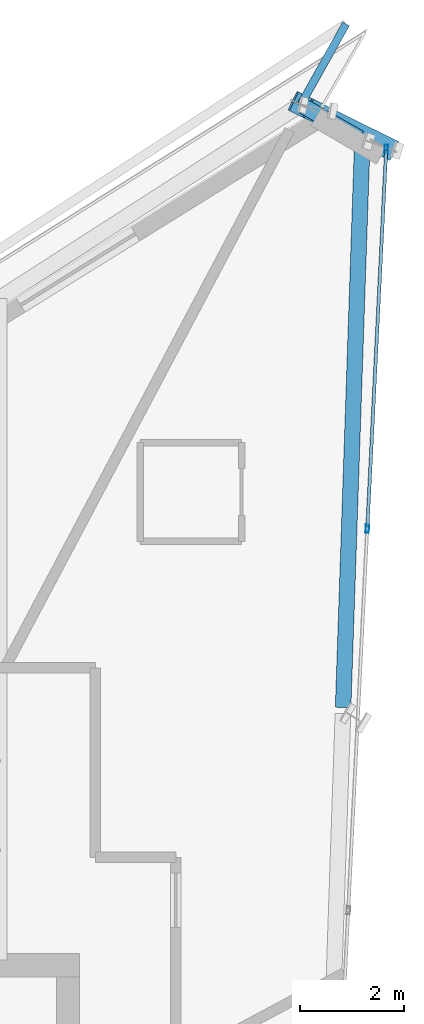
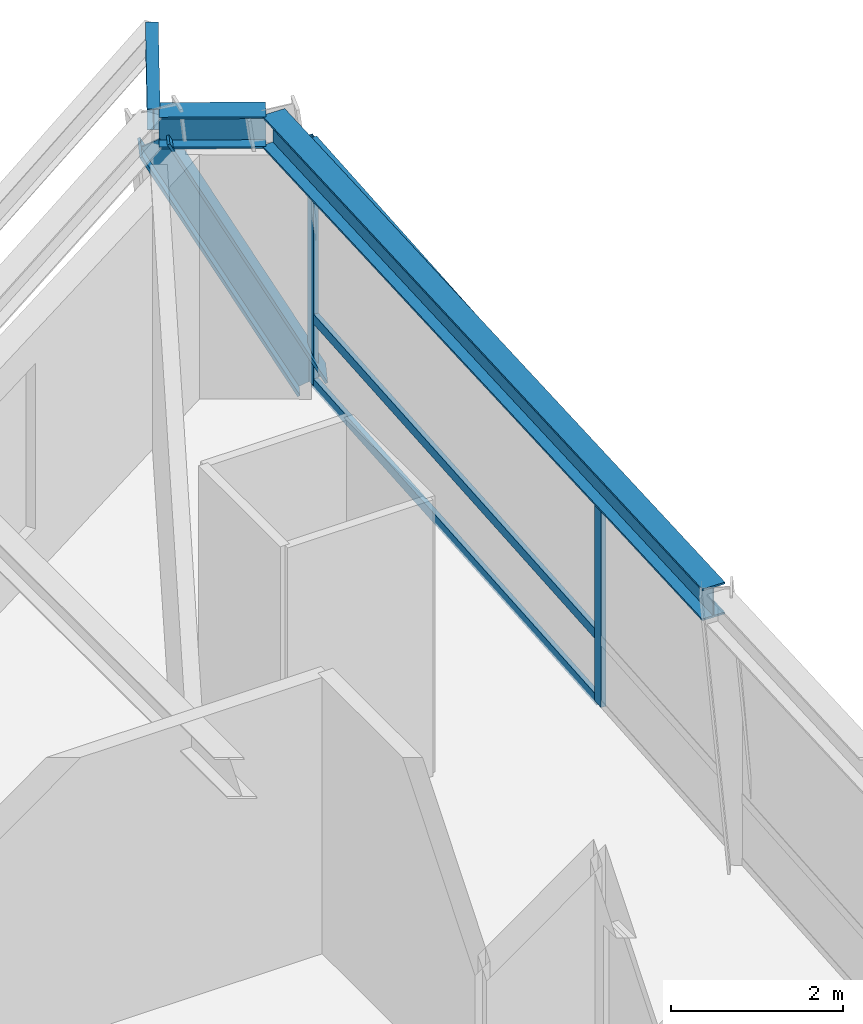
# One storey, part 12 of 21: 6 members, 3 beams, 1 element without a shape of its own.
"""IFC4 building model written with IfcOpenShell, lengths in metres."""

from ifc_helpers import new_model, si_unit, direction, frame, origin, origin_2d, place, context, subcontext, project, spatial, hollow_rectangle, i_section, extrude, source, transform, mapped, material, material_profile, profile_set, type_object, element, aggregate, save


model = new_model("IFC4")

# Units and contexts
model_context = context("Model", 3, precision=1e-05, world=origin(), true_north=direction((0.0, 1.0)))
body_context = subcontext(model_context, "Body", "Model", "MODEL_VIEW")
ifc_project = project(units=[si_unit("LENGTHUNIT", "METRE"), si_unit("AREAUNIT", "SQUARE_METRE"), si_unit("VOLUMEUNIT", "CUBIC_METRE"), si_unit("PLANEANGLEUNIT", "RADIAN"), si_unit("MASSUNIT", "GRAM", prefix="KILO")], contexts=[model_context])

# Site, building, storey
site_placement = place(None, origin())
site = spatial("IfcSite", under=ifc_project, at=site_placement, CompositionType="ELEMENT")
building_placement = place(site_placement, origin())
building = spatial("IfcBuilding", under=site, at=building_placement, Name="Olszyna Solenne Hotel", CompositionType="ELEMENT")
storey_placement = place(building_placement, frame((0.0, 0.0, 277.699951171875)))
storey = spatial("IfcBuildingStorey", under=building, at=storey_placement, Name="L74", CompositionType="ELEMENT", Elevation=277.699951171875)

# Beams
ifc_material_1 = material(Name="Steel S355J2", Category="steel")
ifc_material_profile_1 = material_profile(ifc_material_1, i_section(OverallWidth=0.300048828125, OverallDepth=0.449951171875, WebThickness=0.013916015625, FlangeThickness=0.02587890625, at=origin_2d()), Name="HEB 450", Category="load-bearing")
ifc_profile_set_1 = profile_set([ifc_material_profile_1], Name="Steel S355J2")
beam_type_1 = type_object("IfcBeamType", Name="BM-S4", PredefinedType="BEAM", material=ifc_profile_set_1)
shared_shape_1 = source(origin(), body_context, "Body", "SweptSolid", [
    extrude(i_section(OverallWidth=0.300048828125, OverallDepth=0.449951171875, WebThickness=0.013916015625, FlangeThickness=0.02587890625, at=origin_2d()), origin(), (0.0, 0.0, 1.0), 1.2421875),
])
beam_1_placement = place(storey_placement, frame((51.736083984375, 49.843994140625, 3.695068359375), z_axis=(-0.869943487452, 0.49315142567, 0.0), x_axis=(-0.49315142567, -0.869943487452, 0.0)))
element("IfcBeam", 1, at=beam_1_placement, inside=storey, type_object=beam_type_1, Name="Perimeter spandrel beam BM-S4 B-L74-2168", PredefinedType="BEAM", context=body_context, shape_type="MappedRepresentation", body=[
    mapped(shared_shape_1, transform((0.0, 0.0, 0.0), x_axis=(1.0, 0.0, 0.0), y_axis=(0.0, 1.0, 0.0), z_axis=(0.0, 0.0, 1.0), scale=1.0)),
])
shared_shape_2 = source(origin(), body_context, "Body", "SweptSolid", [
    extrude(i_section(OverallWidth=0.300048828125, OverallDepth=0.449951171875, WebThickness=0.013916015625, FlangeThickness=0.02587890625, at=origin_2d()), origin(), (0.0, 0.0, 1.0), 10.874755859375),
])
beam_2_placement = place(storey_placement, frame((51.41845703125, 38.885986328125, 3.695068359375), z_axis=(0.03383285599, 0.999427505053, 0.0), x_axis=(-0.999427505053, 0.03383285599, 0.0)))
element("IfcBeam", 2, at=beam_2_placement, inside=storey, type_object=beam_type_1, Name="Perimeter spandrel beam BM-S4 B-L74-2179", PredefinedType="BEAM", context=body_context, shape_type="MappedRepresentation", body=[
    mapped(shared_shape_2, transform((0.0, 0.0, 0.0), x_axis=(1.0, 0.0, 0.0), y_axis=(0.0, 1.0, 0.0), z_axis=(0.0, 0.0, 1.0), scale=1.0)),
])
ifc_material_profile_2 = material_profile(ifc_material_1, i_section(OverallWidth=0.14990234375, OverallDepth=0.300048828125, WebThickness=0.007080078125, FlangeThickness=0.0107421875, at=origin_2d()), Name="IPE 300", Category="load-bearing")
ifc_profile_set_2 = profile_set([ifc_material_profile_2], Name="Steel S355J2")
beam_type_2 = type_object("IfcBeamType", Name="JS-02", PredefinedType="JOIST", material=ifc_profile_set_2)
shared_shape_3 = source(origin(), body_context, "Body", "SweptSolid", [
    extrude(i_section(OverallWidth=0.14990234375, OverallDepth=0.300048828125, WebThickness=0.007080078125, FlangeThickness=0.0107421875, at=origin_2d()), origin(), (0.0, 0.0, 1.0), 1.76123046875),
])
beam_3_placement = place(storey_placement, frame((50.613037109375, 50.50341796875, 3.77001953125), z_axis=(0.489076081146, 0.872241128846, 0.0), x_axis=(-0.872241128846, 0.489076081146, 0.0)))
element("IfcBeam", 3, at=beam_3_placement, inside=storey, type_object=beam_type_2, Name="Loggia side bracket JS-02 B-L74-2193", PredefinedType="JOIST", context=body_context, shape_type="MappedRepresentation", body=[
    mapped(shared_shape_3, transform((0.0, 0.0, 0.0), x_axis=(1.0, 0.0, 0.0), y_axis=(0.0, 1.0, 0.0), z_axis=(0.0, 0.0, 1.0), scale=1.0)),
])

# Member
ifc_material_2 = material(Name="Steel S460M", Category="steel")
ifc_material_profile_3 = material_profile(ifc_material_2, i_section(OverallWidth=0.40087890625, OverallDepth=0.39892578125, WebThickness=0.02197265625, FlangeThickness=0.034423828125, at=origin_2d()), Name="HD 400x314", Category="load-bearing")
ifc_profile_set_3 = profile_set([ifc_material_profile_3], Name="Steel S460M")
member_type_1 = type_object("IfcMemberType", Name="BR-T3", PredefinedType="BRACE", material=ifc_profile_set_3)
shared_shape_4 = source(origin(), body_context, "Body", "SweptSolid", [
    extrude(i_section(OverallWidth=0.40087890625, OverallDepth=0.39892578125, WebThickness=0.02197265625, FlangeThickness=0.034423828125, at=origin_2d()), origin(), (0.0, 0.0, 1.0), 3.92626953125),
])
member_1_placement = place(storey_placement, frame((52.25048828125, 49.66845703125, 0.010009765625), z_axis=(-0.41953512675, 0.208244129166, 0.883529659995), x_axis=(-0.44460962814, -0.895724443434, 0.0)))
element("IfcMember", 4, at=member_1_placement, inside=storey, type_object=member_type_1, Name="Perimeter braced-tube diagonal BR-T3 BR-L74-1", PredefinedType="BRACE", context=body_context, shape_type="MappedRepresentation", body=[
    mapped(shared_shape_4, transform((0.0, 0.0, 0.0), x_axis=(1.0, 0.0, 0.0), y_axis=(0.0, 1.0, 0.0), z_axis=(0.0, 0.0, 1.0), scale=1.0)),
])

# Curtain wall, members
ifc_material_3 = material(Name="Anodised bronze aluminium", Category="aluminium")
curtain_wall_type = type_object("IfcCurtainWallType", Name="CW-SYS-7", PredefinedType="NOTDEFINED", material=ifc_material_3)
curtain_wall_placement = place(storey_placement, origin())
curtain_wall = element("IfcCurtainWall", 5, at=curtain_wall_placement, inside=storey, type_object=curtain_wall_type, Name="Unitised curtain wall CW-SYS-7 CW-L74-03", PredefinedType="NOTDEFINED")
ifc_material_profile_4 = material_profile(ifc_material_3, hollow_rectangle(XDim=0.06494140625, YDim=0.159912109375, WallThickness=0.00390625, at=origin_2d()), Name="MULL 160x65x4", Category="load-bearing")
ifc_profile_set_4 = profile_set([ifc_material_profile_4], Name="Anodised bronze aluminium")
member_type_2 = type_object("IfcMemberType", Name="CW-M3", PredefinedType="MULLION", material=ifc_profile_set_4)
shared_shape_5 = source(origin(), body_context, "Body", "SweptSolid", [
    extrude(hollow_rectangle(XDim=0.06494140625, YDim=0.159912109375, WallThickness=0.00390625, at=origin_2d()), origin(), (0.0, 0.0, 1.0), 3.462158203125),
])
member_2_placement = place(storey_placement, frame((51.884765625, 42.326416015625, 0.0), z_axis=(0.0, 0.0, 1.0), x_axis=(-0.998762731695, 0.049729325113, 0.0)))
member_2 = element("IfcMember", 6, at=member_2_placement, type_object=member_type_2, Name="Curtain-wall mullion CW-M3 CM-L74-03-03", PredefinedType="MULLION", context=body_context, shape_type="MappedRepresentation", body=[
    mapped(shared_shape_5, transform((0.0, 0.0, 0.0), x_axis=(1.0, 0.0, 0.0), y_axis=(0.0, 1.0, 0.0), z_axis=(0.0, 0.0, 1.0), scale=1.0)),
])
member_3_placement = place(storey_placement, frame((52.248779296875, 49.635986328125, 0.0), z_axis=(0.0, 0.0, 1.0), x_axis=(-0.998762731695, 0.049729325113, 0.0)))
member_3 = element("IfcMember", 7, at=member_3_placement, type_object=member_type_2, Name="Curtain-wall mullion CW-M3 CM-L74-03-04", PredefinedType="MULLION", context=body_context, shape_type="MappedRepresentation", body=[
    mapped(shared_shape_5, transform((0.0, 0.0, 0.0), x_axis=(1.0, 0.0, 0.0), y_axis=(0.0, 1.0, 0.0), z_axis=(0.0, 0.0, 1.0), scale=1.0)),
])
ifc_material_profile_5 = material_profile(ifc_material_3, hollow_rectangle(XDim=0.06494140625, YDim=0.139892578125, WallThickness=0.00390625, at=origin_2d()), Name="TRAN 140x65x4", Category="load-bearing")
ifc_profile_set_5 = profile_set([ifc_material_profile_5], Name="Anodised bronze aluminium")
member_type_3 = type_object("IfcMemberType", Name="CW-T2", PredefinedType="USERDEFINED", material=ifc_profile_set_5)
shared_shape_6 = source(origin(), body_context, "Body", "SweptSolid", [
    extrude(hollow_rectangle(XDim=0.06494140625, YDim=0.139892578125, WallThickness=0.00390625, at=origin_2d()), origin(), (0.0, 0.0, 1.0), 7.253662109375),
])
member_4_placement = place(storey_placement, frame((51.886474609375, 42.35888671875, 0.032470703125), z_axis=(0.049712670328, 0.998763560813, 0.0), x_axis=(-0.998763560813, 0.049712670328, 0.0)))
member_4 = element("IfcMember", 8, at=member_4_placement, type_object=member_type_3, Name="Curtain-wall transom CW-T2 CT-L74-03-07", ObjectType="TRANSOM", PredefinedType="USERDEFINED", context=body_context, shape_type="MappedRepresentation", body=[
    mapped(shared_shape_6, transform((0.0, 0.0, 0.0), x_axis=(1.0, 0.0, 0.0), y_axis=(0.0, 1.0, 0.0), z_axis=(0.0, 0.0, 1.0), scale=1.0)),
])
member_5_placement = place(storey_placement, frame((51.886474609375, 42.35888671875, 0.949951171875), z_axis=(0.049712670328, 0.998763560813, 0.0), x_axis=(-0.998763560813, 0.049712670328, 0.0)))
member_5 = element("IfcMember", 9, at=member_5_placement, type_object=member_type_3, Name="Curtain-wall transom CW-T2 CT-L74-03-08", ObjectType="TRANSOM", PredefinedType="USERDEFINED", context=body_context, shape_type="MappedRepresentation", body=[
    mapped(shared_shape_6, transform((0.0, 0.0, 0.0), x_axis=(1.0, 0.0, 0.0), y_axis=(0.0, 1.0, 0.0), z_axis=(0.0, 0.0, 1.0), scale=1.0)),
])
member_6_placement = place(storey_placement, frame((51.886474609375, 42.35888671875, 3.429443359375), z_axis=(0.049712670328, 0.998763560813, 0.0), x_axis=(-0.998763560813, 0.049712670328, 0.0)))
member_6 = element("IfcMember", 10, at=member_6_placement, type_object=member_type_3, Name="Curtain-wall transom CW-T2 CT-L74-03-09", ObjectType="TRANSOM", PredefinedType="USERDEFINED", context=body_context, shape_type="MappedRepresentation", body=[
    mapped(shared_shape_6, transform((0.0, 0.0, 0.0), x_axis=(1.0, 0.0, 0.0), y_axis=(0.0, 1.0, 0.0), z_axis=(0.0, 0.0, 1.0), scale=1.0)),
])
aggregate(curtain_wall, [member_2, member_3, member_4, member_5, member_6])

save(model, "model.ifc")
